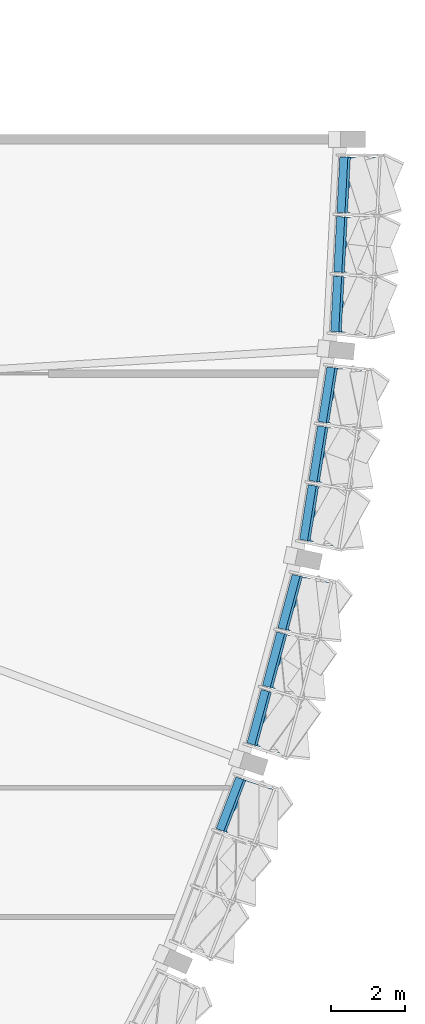
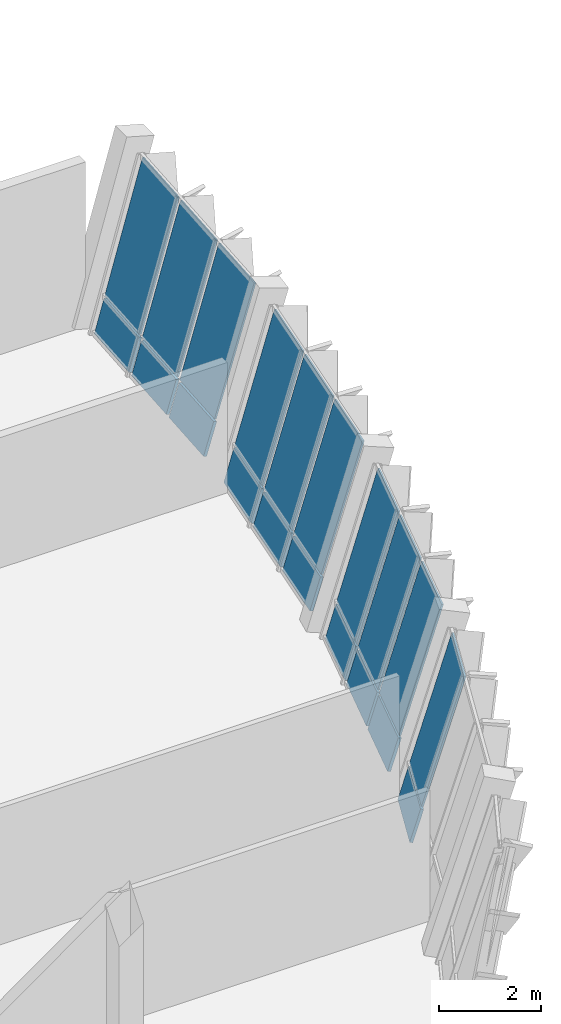
# One storey, part 78 of 94: 20 plates, 4 elements without a shape of their own.
"""IFC4 building model written with IfcOpenShell, lengths in metres."""

from ifc_helpers import new_model, si_unit, direction, frame, origin, place, context, subcontext, project, spatial, polyline, outline, extrude, material, layer, layer_set, type_object, element, aggregate, save


model = new_model("IFC4")

# Units and contexts
model_context = context("Model", 3, precision=1e-05, world=origin(), true_north=direction((0.0, 1.0)))
body_context = subcontext(model_context, "Body", "Model", "MODEL_VIEW")
ifc_project = project(units=[si_unit("LENGTHUNIT", "METRE"), si_unit("AREAUNIT", "SQUARE_METRE"), si_unit("VOLUMEUNIT", "CUBIC_METRE"), si_unit("PLANEANGLEUNIT", "RADIAN"), si_unit("MASSUNIT", "GRAM", prefix="KILO")], contexts=[model_context])

# Site, building, storey
site_placement = place(None, origin())
site = spatial("IfcSite", under=ifc_project, at=site_placement, CompositionType="ELEMENT")
building_placement = place(site_placement, origin())
building = spatial("IfcBuilding", under=site, at=building_placement, Name="Chiffa Square Polytechnic", CompositionType="ELEMENT")
storey_placement = place(building_placement, frame((0.0, 0.0, 18.0)))
storey = spatial("IfcBuildingStorey", under=building, at=storey_placement, Name="L04", CompositionType="ELEMENT", Elevation=18.0)

# Curtain wall, plates
ifc_material_1 = material(Name="Aluminium EN AW-6060 T66 and glulam shading", Category="wood")
curtain_wall_type_1 = type_object("IfcCurtainWallType", Name="CW-PROW-LEAN-150", PredefinedType="USERDEFINED", material=ifc_material_1)
curtain_wall_1_placement = place(storey_placement, origin())
curtain_wall_1 = element("IfcCurtainWall", 1, at=curtain_wall_1_placement, inside=storey, type_object=curtain_wall_type_1, Name="Outward-leaning diamond-fin prow curtain wall CW-V1-L04-077", ObjectType="CURTAIN WALL", PredefinedType="USERDEFINED")
ifc_material_2 = material(Name="Double glazing", Category="glass")
ifc_layer_1 = layer(ifc_material_2, 0.0439453125, Name="Double glazing")
ifc_layer_set_1 = layer_set([ifc_layer_1], Name="Double glazing")
plate_type_1 = type_object("IfcPlateType", Name="CWP-GLZ-132X114", PredefinedType="CURTAIN_PANEL", material=ifc_layer_set_1)
plate_1_placement = place(storey_placement, frame((177.55224609375, 52.12744140625, 0.8779296875), z_axis=(-0.961007442998, 0.050192054732, 0.27192913074), x_axis=(0.052156902779, 0.998638902451, -2.083907e-06)))
plate_1 = element("IfcPlate", 2, at=plate_1_placement, type_object=plate_type_1, Name="Leaning prow curtain panel CW-V1-L04-077-PN01", PredefinedType="CURTAIN_PANEL", context=body_context, shape_type="SweptSolid", body=[
    extrude(outline(polyline([(0.0, 0.0), (1.5027772703020486, -3.469446951953614e-18), (1.4869142545423848, -3.1352372074061057), (-0.04348975828740189, -3.1352306390224247), (0.0, 0.0)])), origin(), (0.0, 0.0, -1.0), 0.0439453125),
])
plate_2_placement = place(storey_placement, frame((177.63671875, 53.74462890625, 0.8779296875), z_axis=(-0.96101468011, 0.050188387549, 0.271904230141), x_axis=(0.052152395302, 0.998639137854, -3.201806e-06)))
plate_2 = element("IfcPlate", 3, at=plate_2_placement, type_object=plate_type_1, Name="Leaning prow curtain panel CW-V1-L04-077-PN02", PredefinedType="CURTAIN_PANEL", context=body_context, shape_type="SweptSolid", body=[
    extrude(outline(polyline([(0.0, 0.0), (1.503021078715588, 0.0), (1.5167280514483383, -3.135216110735247), (-0.013675961303253815, -3.1352060180472985), (0.0, 0.0)])), origin(), (0.0, 0.0, -1.0), 0.0439453125),
])
plate_3_placement = place(storey_placement, frame((177.72119140625, 55.36181640625, 0.8779296875), z_axis=(-0.960995574086, 0.050109940074, 0.271986213792), x_axis=(0.05206608368, 0.998643641308, -2.4622736e-05)))
plate_3 = element("IfcPlate", 4, at=plate_3_placement, type_object=plate_type_1, Name="Leaning prow curtain panel CW-V1-L04-077-PN03", PredefinedType="CURTAIN_PANEL", context=body_context, shape_type="SweptSolid", body=[
    extrude(outline(polyline([(0.0, 0.0), (1.5030083626797484, 0.0), (1.5464234745884948, -3.1353261170678666), (0.016019469718267232, -3.1352485000856465), (0.0, 0.0)])), origin(), (0.0, 0.0, -1.0), 0.0439453125),
])

curtain_wall_type_2 = type_object("IfcCurtainWallType", Name="CW-PROW-LEAN-300", PredefinedType="USERDEFINED", material=ifc_material_1)
curtain_wall_2_placement = place(storey_placement, origin())
curtain_wall_2 = element("IfcCurtainWall", 5, at=curtain_wall_2_placement, inside=storey, type_object=curtain_wall_type_2, Name="Outward-leaning diamond-fin prow curtain wall CW-V1-L04-076", ObjectType="CURTAIN WALL", PredefinedType="USERDEFINED")
ifc_layer_2 = layer(ifc_material_2, 0.0439453125, Name="Double glazing")
ifc_layer_set_2 = layer_set([ifc_layer_2], Name="Double glazing")
plate_type_2 = type_object("IfcPlateType", Name="CWP-GLZ-134X118", PredefinedType="CURTAIN_PANEL", material=ifc_layer_set_2)
plate_4_placement = place(storey_placement, frame((176.7080078125, 46.47509765625, 0.8779296875), z_axis=(-0.950485141876, 0.150680055502, 0.271796828435), x_axis=(0.156566136085, 0.987667476514, -2.9448867e-05)))
plate_4 = element("IfcPlate", 6, at=plate_4_placement, type_object=plate_type_2, Name="Leaning prow curtain panel CW-V1-L04-076-PN01", PredefinedType="CURTAIN_PANEL", context=body_context, shape_type="SweptSolid", body=[
    extrude(outline(polyline([(0.0, 0.0), (1.5026376413038194, 0.0), (1.4871154131686621, -3.1351577300617293), (-0.043013889873122546, -3.135064924824911), (0.0, 0.0)])), origin(), (0.0, 0.0, -1.0), 0.0439453125),
])
plate_5_placement = place(storey_placement, frame((176.96142578125, 48.07421875, 0.8779296875), z_axis=(-0.950469211901, 0.150665249971, 0.271860735817), x_axis=(0.156554604281, 0.987669304572, -2.6157923e-05)))
plate_5 = element("IfcPlate", 7, at=plate_5_placement, type_object=plate_type_2, Name="Leaning prow curtain panel CW-V1-L04-076-PN02", PredefinedType="CURTAIN_PANEL", context=body_context, shape_type="SweptSolid", body=[
    extrude(outline(polyline([(0.0, 0.0), (1.5026376431682518, 2.7755575615628914e-17), (1.5170565741642226, -3.1352122675885967), (-0.013313856990705924, -3.1351298253420987), (0.0, 0.0)])), origin(), (0.0, 0.0, -1.0), 0.0439453125),
])
plate_6_placement = place(storey_placement, frame((177.21484375, 49.673583984375, 0.8779296875), z_axis=(-0.950446330603, 0.150673902765, 0.271935925669), x_axis=(0.156566127675, 0.987667477847, -2.9462735e-05)))
plate_6 = element("IfcPlate", 8, at=plate_6_placement, type_object=plate_type_2, Name="Leaning prow curtain panel CW-V1-L04-076-PN03", PredefinedType="CURTAIN_PANEL", context=body_context, shape_type="SweptSolid", body=[
    extrude(outline(polyline([(0.0, 0.0), (1.50263764130454, 0.0), (1.5465154714419869, -3.135287593613331), (0.01638616840237616, -3.135194740881655), (0.0, 0.0)])), origin(), (0.0, 0.0, -1.0), 0.0439453125),
])

curtain_wall_3_placement = place(storey_placement, origin())
curtain_wall_3 = element("IfcCurtainWall", 9, at=curtain_wall_3_placement, inside=storey, type_object=curtain_wall_type_1, Name="Outward-leaning diamond-fin prow curtain wall CW-V1-L04-075", ObjectType="CURTAIN WALL", PredefinedType="USERDEFINED")
ifc_layer_3 = layer(ifc_material_2, 0.0419921875, Name="Double glazing")
ifc_layer_set_3 = layer_set([ifc_layer_3], Name="Double glazing")
plate_type_3 = type_object("IfcPlateType", Name="CWP-GLZ-136X122", PredefinedType="CURTAIN_PANEL", material=ifc_layer_set_3)
plate_7_placement = place(storey_placement, frame((175.2783203125, 40.94140625, 0.8779296875), z_axis=(-0.929555216987, 0.249022583336, 0.271872859185), x_axis=(0.258773736878, 0.965937965334, 1.5116125e-05)))
plate_7 = element("IfcPlate", 10, at=plate_7_placement, type_object=plate_type_3, Name="Leaning prow curtain panel CW-V1-L04-075-PN01", PredefinedType="CURTAIN_PANEL", context=body_context, shape_type="SweptSolid", body=[
    extrude(outline(polyline([(0.0, 0.0), (1.5026190836810607, 2.7755575615628914e-17), (1.4865816519962518, -3.1351588378343416), (-0.04404611149963857, -3.135206483431002), (0.0, 0.0)])), origin(), (0.0, 0.0, -1.0), 0.0419921875),
])
plate_8_placement = place(storey_placement, frame((175.697509765625, 42.505615234375, 0.8779296875), z_axis=(-0.929533201031, 0.249171594677, 0.271811597594), x_axis=(0.258924025867, 0.965897690539, 1.54914e-05)))
plate_8 = element("IfcPlate", 11, at=plate_8_placement, type_object=plate_type_3, Name="Leaning prow curtain panel CW-V1-L04-075-PN02", PredefinedType="CURTAIN_PANEL", context=body_context, shape_type="SweptSolid", body=[
    extrude(outline(polyline([(0.0, 0.0), (1.5026822918669867, 0.0), (1.5168002002475618, -3.135101394691332), (-0.013890744060827815, -3.135150224299505), (0.0, 0.0)])), origin(), (0.0, 0.0, -1.0), 0.0419921875),
])
plate_9_placement = place(storey_placement, frame((176.11669921875, 44.069580078125, 0.8779296875), z_axis=(-0.929567652882, 0.249082617203, 0.271775327289), x_axis=(0.258832842534, 0.965922128699, 3.0267988e-05)))
plate_9 = element("IfcPlate", 12, at=plate_9_placement, type_object=plate_type_3, Name="Leaning prow curtain panel CW-V1-L04-075-PN03", PredefinedType="CURTAIN_PANEL", context=body_context, shape_type="SweptSolid", body=[
    extrude(outline(polyline([(0.0, 0.0), (1.502918097715093, 1.3877787807814457e-17), (1.5470217703004572, -3.135043784640512), (0.01639401590865579, -3.1351391951516785), (0.0, 0.0)])), origin(), (0.0, 0.0, -1.0), 0.0419921875),
])

# Curtain wall, plate
curtain_wall_4_placement = place(storey_placement, origin())
curtain_wall_4 = element("IfcCurtainWall", 13, at=curtain_wall_4_placement, inside=storey, type_object=curtain_wall_type_2, Name="Outward-leaning diamond-fin prow curtain wall CW-V1-L04-074", ObjectType="CURTAIN WALL", PredefinedType="USERDEFINED")
ifc_layer_4 = layer(ifc_material_2, 0.0419921875, Name="Double glazing")
ifc_layer_set_4 = layer_set([ifc_layer_4], Name="Double glazing")
plate_type_4 = type_object("IfcPlateType", Name="CWP-GLZ-138X126", PredefinedType="CURTAIN_PANEL", material=ifc_layer_set_4)
plate_10_placement = place(storey_placement, frame((174.438720703125, 38.611572265625, 0.8779296875), z_axis=(-0.898410496607, 0.344881201844, 0.271874118299), x_axis=(0.358378762913, 0.933576275542, -6.126219e-06)))
plate_10 = element("IfcPlate", 14, at=plate_10_placement, type_object=plate_type_4, Name="Leaning prow curtain panel CW-V1-L04-074-PN03", PredefinedType="CURTAIN_PANEL", context=body_context, shape_type="SweptSolid", body=[
    extrude(outline(polyline([(0.0, 0.0), (1.5028921890936595, 0.0), (1.5460936261317046, -3.1351931897600687), (0.015454216704325374, -3.1351738782725187), (0.0, 0.0)])), origin(), (0.0, 0.0, -1.0), 0.0419921875),
])

# Plate
ifc_material_3 = material(Name="Aluminium insulated spandrel", Category="aluminium")
ifc_layer_5 = layer(ifc_material_3, 0.072021484375, Name="Aluminium insulated spandrel")
ifc_layer_set_5 = layer_set([ifc_layer_5], Name="Aluminium insulated spandrel")
plate_type_5 = type_object("IfcPlateType", Name="CWP-SPN-136X072", PredefinedType="SHEET", material=ifc_layer_set_5)
plate_11_placement = place(storey_placement, frame((177.319091796875, 52.151611328125, 0.050048828125), z_axis=(-0.961017200255, 0.050237483719, 0.271886255711), x_axis=(0.052207461707, 0.998636260505, 1.2121996e-05)))
plate_11 = element("IfcPlate", 15, at=plate_11_placement, type_object=plate_type_5, Name="Leaning prow curtain panel CW-V1-L04-077-SP01", PredefinedType="SHEET", context=body_context, shape_type="SweptSolid", body=[
    extrude(outline(polyline([(0.0, 0.0), (1.4952064836411334, 0.0), (1.491212610037674, -0.8021729192395768), (-0.01132084998941004, -0.802210680313112), (0.0, 0.0)])), origin(), (0.0, 0.0, -1.0), 0.072021484375),
])

plate_12_placement = place(storey_placement, frame((177.403076171875, 53.760498046875, 0.050048828125), z_axis=(-0.960989350914, 0.050231931333, 0.271985699082), x_axis=(0.052202902668, 0.998636498848, 1.1006144e-05)))
plate_12 = element("IfcPlate", 16, at=plate_12_placement, type_object=plate_type_5, Name="Leaning prow curtain panel CW-V1-L04-077-SP02", PredefinedType="SHEET", context=body_context, shape_type="SweptSolid", body=[
    extrude(outline(polyline([(0.0, 0.0), (1.4954502910909506, -3.469446951953614e-18), (1.4990380902963794, -0.8021979840165707), (-0.0034953700741778256, -0.8022322729032212), (0.0, 0.0)])), origin(), (0.0, 0.0, -1.0), 0.072021484375),
])

plate_13_placement = place(storey_placement, frame((177.487060546875, 55.369873046875, 0.050048828125), z_axis=(-0.960994621205, 0.050318778796, 0.271951022273), x_axis=(0.05228661386, 0.998632119404, -1.0274034e-05)))
plate_13 = element("IfcPlate", 17, at=plate_13_placement, type_object=plate_type_5, Name="Leaning prow curtain panel CW-V1-L04-077-SP03", PredefinedType="SHEET", context=body_context, shape_type="SweptSolid", body=[
    extrude(outline(polyline([(0.0, 0.0), (1.4952064840602048, 0.0), (1.5063796776124994, -0.802223041764914), (0.004077269555605291, -0.8021910391120155), (0.0, 0.0)])), origin(), (0.0, 0.0, -1.0), 0.072021484375),
])

aggregate(curtain_wall_1, [plate_11, plate_1, plate_12, plate_2, plate_13, plate_3])

ifc_layer_6 = layer(ifc_material_3, 0.070068359375, Name="Aluminium insulated spandrel")
ifc_layer_set_6 = layer_set([ifc_layer_6], Name="Aluminium insulated spandrel")
plate_type_6 = type_object("IfcPlateType", Name="CWP-SPN-138X074", PredefinedType="SHEET", material=ifc_layer_set_6)
plate_14_placement = place(storey_placement, frame((176.47900390625, 46.5234375, 0.050048828125), z_axis=(-0.950555260837, 0.150611733427, 0.271589399369), x_axis=(0.156490522516, 0.987679460261, -1.1878709e-05)))
plate_14 = element("IfcPlate", 18, at=plate_14_placement, type_object=plate_type_6, Name="Leaning prow curtain panel CW-V1-L04-076-SP01", PredefinedType="SHEET", context=body_context, shape_type="SweptSolid", body=[
    extrude(outline(polyline([(0.0, 0.0), (1.4949715078684518, 0.0), (1.490928444638911, -0.8021402385749887), (-0.010985806759787147, -0.8021032491257344), (0.0, 0.0)])), origin(), (0.0, 0.0, -1.0), 0.070068359375),
])

plate_15_placement = place(storey_placement, frame((176.73095703125, 48.114501953125, 0.050048828125), z_axis=(-0.950466535601, 0.150585254836, 0.271914408829), x_axis=(0.156478854851, 0.98768130888, -8.556109e-06)))
plate_15 = element("IfcPlate", 19, at=plate_15_placement, type_object=plate_type_6, Name="Leaning prow curtain panel CW-V1-L04-076-SP02", PredefinedType="SHEET", context=body_context, shape_type="SweptSolid", body=[
    extrude(outline(polyline([(0.0, 0.0), (1.494971508558284, 0.0), (1.498632780168646, -0.80221165869977), (-0.00352260344622512, -0.8021850109041783), (0.0, 0.0)])), origin(), (0.0, 0.0, -1.0), 0.070068359375),
])

plate_16_placement = place(storey_placement, frame((176.983154296875, 49.705810546875, 0.050048828125), z_axis=(-0.950455877906, 0.15060840893, 0.271938837448), x_axis=(0.156504041836, 0.987677318164, -8.542163e-06)))
plate_16 = element("IfcPlate", 20, at=plate_16_placement, type_object=plate_type_6, Name="Leaning prow curtain panel CW-V1-L04-076-SP03", PredefinedType="SHEET", context=body_context, shape_type="SweptSolid", body=[
    extrude(outline(polyline([(0.0, 0.0), (1.494730374760207, 0.0), (1.5060633627994162, -0.8022174573911125), (0.004149110491371955, -0.8021908571220933), (0.0, 0.0)])), origin(), (0.0, 0.0, -1.0), 0.070068359375),
])

aggregate(curtain_wall_2, [plate_14, plate_4, plate_15, plate_5, plate_16, plate_6])

ifc_layer_7 = layer(ifc_material_3, 0.068115234375, Name="Aluminium insulated spandrel")
ifc_layer_set_7 = layer_set([ifc_layer_7], Name="Aluminium insulated spandrel")
plate_type_7 = type_object("IfcPlateType", Name="CWP-SPN-140X076", PredefinedType="SHEET", material=ifc_layer_set_7)
plate_17_placement = place(storey_placement, frame((175.055419921875, 41.013671875, 0.050048828125), z_axis=(-0.929518558755, 0.249193750909, 0.271841357114), x_axis=(0.258947935517, 0.965891280933, 1.0449287e-05)))
plate_17 = element("IfcPlate", 21, at=plate_17_placement, type_object=plate_type_7, Name="Leaning prow curtain panel CW-V1-L04-075-SP01", PredefinedType="SHEET", context=body_context, shape_type="SweptSolid", body=[
    extrude(outline(polyline([(0.0, 0.0), (1.495102136828214, -1.3877787807814457e-17), (1.4908710166253436, -0.8021649419573214), (-0.011276430606860042, -0.8021974866446722), (0.0, 0.0)])), origin(), (0.0, 0.0, -1.0), 0.068115234375),
])

plate_18_placement = place(storey_placement, frame((175.47265625, 42.56982421875, 0.050048828125), z_axis=(-0.929524102073, 0.24911684908, 0.271892881792), x_axis=(0.25886629645, 0.965913164036, -1.0232504e-05)))
plate_18 = element("IfcPlate", 22, at=plate_18_placement, type_object=plate_type_7, Name="Leaning prow curtain panel CW-V1-L04-075-SP02", PredefinedType="SHEET", context=body_context, shape_type="SweptSolid", body=[
    extrude(outline(polyline([(0.0, 0.0), (1.4950389270372852, -1.3877787807814457e-17), (1.4986525909161734, -0.8022091991555089), (-0.0034948563761413158, -0.8021773298373737), (0.0, 0.0)])), origin(), (0.0, 0.0, -1.0), 0.068115234375),
])

plate_19_placement = place(storey_placement, frame((175.8896484375, 44.1259765625, 0.050048828125), z_axis=(-0.929544807673, 0.249200787957, 0.271745133921), x_axis=(0.258947933499, 0.965891281474, 1.0445884e-05)))
plate_19 = element("IfcPlate", 23, at=plate_19_placement, type_object=plate_type_7, Name="Leaning prow curtain panel CW-V1-L04-075-SP03", PredefinedType="SHEET", context=body_context, shape_type="SweptSolid", body=[
    extrude(outline(polyline([(0.0, 0.0), (1.4951021368281516, -1.3877787807814457e-17), (1.5062671402770562, -0.8021421282093742), (0.004119693044665077, -0.802174661376941), (0.0, 0.0)])), origin(), (0.0, 0.0, -1.0), 0.068115234375),
])

aggregate(curtain_wall_3, [plate_17, plate_7, plate_18, plate_8, plate_19, plate_9])

ifc_layer_8 = layer(ifc_material_3, 0.06591796875, Name="Aluminium insulated spandrel")
ifc_layer_set_8 = layer_set([ifc_layer_8], Name="Aluminium insulated spandrel")
plate_type_8 = type_object("IfcPlateType", Name="CWP-SPN-144X078", PredefinedType="SHEET", material=ifc_layer_set_8)
plate_20_placement = place(storey_placement, frame((174.21875, 38.69140625, 0.050048828125), z_axis=(-0.898358546063, 0.344907612425, 0.272012245325), x_axis=(0.358419024363, 0.933560819023, -1.2644777e-05)))
plate_20 = element("IfcPlate", 24, at=plate_20_placement, type_object=plate_type_8, Name="Leaning prow curtain panel CW-V1-L04-074-SP03", PredefinedType="SHEET", context=body_context, shape_type="SweptSolid", body=[
    extrude(outline(polyline([(0.0, 0.0), (1.4953199515746978, 0.0), (1.5064148488545803, -0.8022411789094227), (0.0039785028996059965, -0.8022017876533633), (0.0, 0.0)])), origin(), (0.0, 0.0, -1.0), 0.06591796875),
])

aggregate(curtain_wall_4, [plate_20, plate_10])

save(model, "model.ifc")
